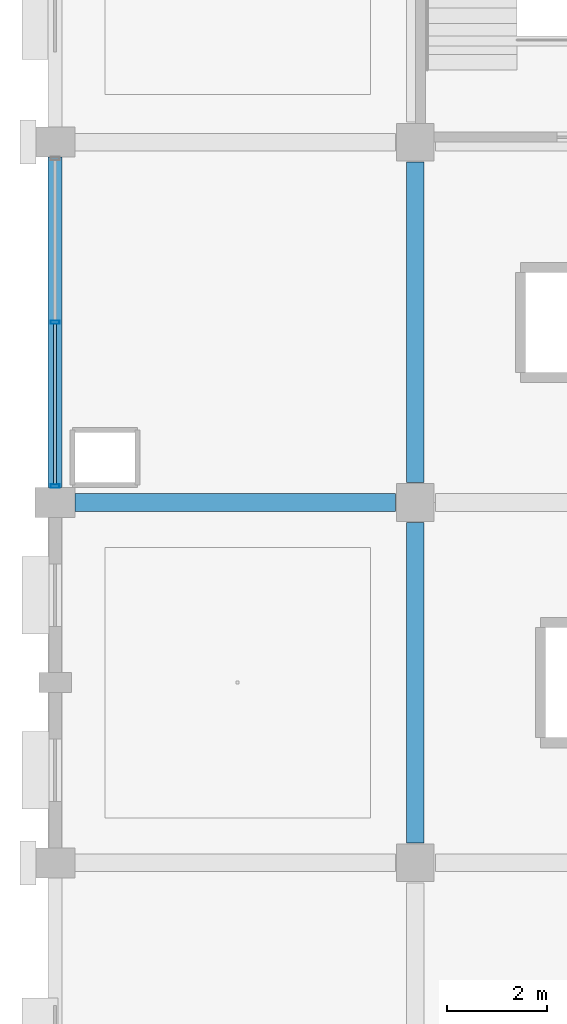
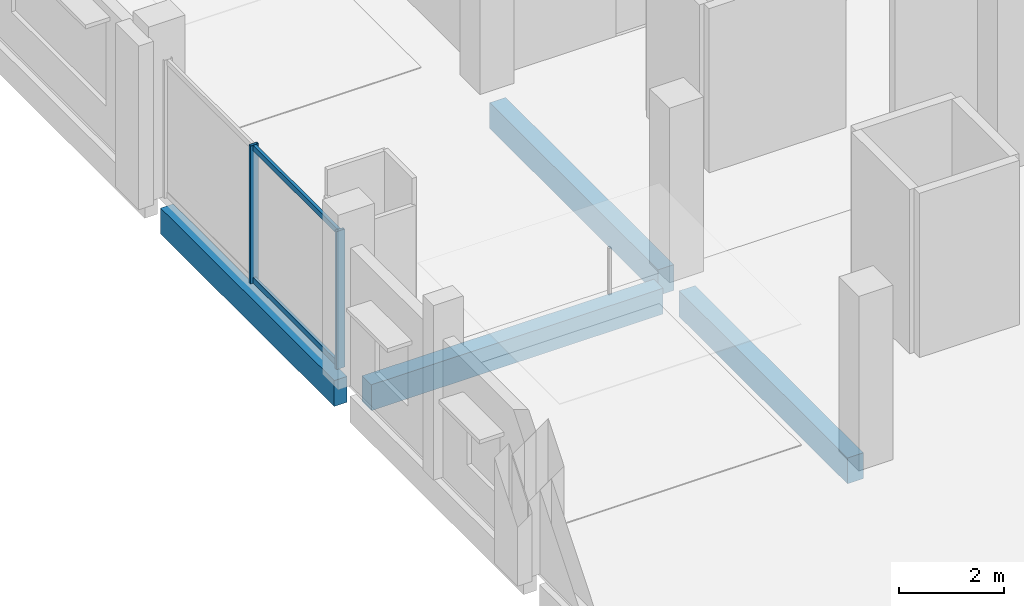
# One storey, part 8 of 91: 4 beams, 4 members, 1 element without a shape of its own.
"""IFC4 building model written with IfcOpenShell, lengths in metres."""

from ifc_helpers import new_model, si_unit, direction, frame, origin, origin_2d, place, context, subcontext, project, spatial, rectangle, hollow_rectangle, extrude, material, layer, layer_set, material_profile, profile_set, type_object, element, aggregate, save


model = new_model("IFC4")

# Units and contexts
model_context = context("Model", 3, precision=1e-05, world=origin(), true_north=direction((0.0, 1.0)))
body_context = subcontext(model_context, "Body", "Model", "MODEL_VIEW")
ifc_project = project(units=[si_unit("LENGTHUNIT", "METRE"), si_unit("AREAUNIT", "SQUARE_METRE"), si_unit("VOLUMEUNIT", "CUBIC_METRE"), si_unit("PLANEANGLEUNIT", "RADIAN"), si_unit("MASSUNIT", "GRAM", prefix="KILO")], contexts=[model_context])

# Site, building, storey
site_placement = place(None, origin())
site = spatial("IfcSite", under=ifc_project, at=site_placement, CompositionType="ELEMENT")
building_placement = place(site_placement, origin())
building = spatial("IfcBuilding", under=site, at=building_placement, Name="Kangsadwip Square Police Headquarters", CompositionType="ELEMENT")
storey_placement = place(building_placement, frame((0.0, 0.0, 13.5)))
storey = spatial("IfcBuildingStorey", under=building, at=storey_placement, Name="L03", CompositionType="ELEMENT", Elevation=13.5)

# Curtain wall, members
ifc_material_1 = material(Name="Thermally broken anodised aluminium AW-6063-T6", Category="aluminium")
ifc_layer = layer(ifc_material_1, 0.159912109375)
ifc_layer_set = layer_set([ifc_layer], Name="Thermally broken anodised aluminium AW-6063-T6")
curtain_wall_type = type_object("IfcCurtainWallType", Name="UnitisedCw6610x3200", PredefinedType="NOTDEFINED", material=ifc_layer_set)
curtain_wall_placement = place(storey_placement, origin())
curtain_wall = element("IfcCurtainWall", 1, at=curtain_wall_placement, inside=storey, type_object=curtain_wall_type, Name="Curtain Wall CW-L03-0000-0651", PredefinedType="NOTDEFINED")
ifc_material_2 = material(Name="Thermally broken anodised aluminium AW-6063-T6", Category="aluminium")
ifc_material_profile_1 = material_profile(ifc_material_2, hollow_rectangle(XDim=0.06494140625, YDim=0.179931640625, WallThickness=0.00390625, at=origin_2d()), Name="CWM 180X65X4")
ifc_profile_set_1 = profile_set([ifc_material_profile_1], Name="Thermally broken anodised aluminium AW-6063-T6")
member_type_1 = type_object("IfcMemberType", Name="CwMullion160x65", PredefinedType="MULLION", material=ifc_profile_set_1)
member_1_placement = place(storey_placement, frame((0.0, 65.12744140625, 0.0), z_axis=(0.0, 0.0, 1.0), x_axis=(0.0, 1.0, 0.0)))
member_1 = element("IfcMember", 2, at=member_1_placement, type_object=member_type_1, Name="CW-28 mullion 1", PredefinedType="MULLION", context=body_context, shape_type="SweptSolid", body=[
    extrude(hollow_rectangle(XDim=0.06494140625, YDim=0.179931640625, WallThickness=0.00390625, at=origin_2d()), origin(), (0.0, 0.0, 1.0), 3.199951171875),
])
member_2_placement = place(storey_placement, frame((0.0, 68.39990234375, 0.0), z_axis=(0.0, 0.0, 1.0), x_axis=(0.0, 1.0, 0.0)))
member_2 = element("IfcMember", 3, at=member_2_placement, type_object=member_type_1, Name="CW-28 mullion 2", PredefinedType="MULLION", context=body_context, shape_type="SweptSolid", body=[
    extrude(hollow_rectangle(XDim=0.06494140625, YDim=0.179931640625, WallThickness=0.00390625, at=origin_2d()), origin(), (0.0, 0.0, 1.0), 3.199951171875),
])
ifc_material_3 = material(Name="Thermally broken anodised aluminium AW-6063-T6", Category="aluminium")
ifc_material_profile_2 = material_profile(ifc_material_3, hollow_rectangle(XDim=0.06494140625, YDim=0.1298828125, WallThickness=0.00390625, at=origin_2d()), Name="CWT 130X65X4")
ifc_profile_set_2 = profile_set([ifc_material_profile_2], Name="Thermally broken anodised aluminium AW-6063-T6")
member_type_2 = type_object("IfcMemberType", Name="CwTransom140x60", PredefinedType="USERDEFINED", material=ifc_profile_set_2)
member_3_placement = place(storey_placement, frame((0.0, 65.159912109375, 0.06494140625), z_axis=(0.0, 1.0, 0.0), x_axis=(-1.0, 0.0, 0.0)))
member_3 = element("IfcMember", 4, at=member_3_placement, type_object=member_type_2, Name="CW-28 transom 1.1", ObjectType="TRANSOM", PredefinedType="USERDEFINED", context=body_context, shape_type="SweptSolid", body=[
    extrude(hollow_rectangle(XDim=0.06494140625, YDim=0.1298828125, WallThickness=0.00390625, at=origin_2d()), origin(), (0.0, 0.0, 1.0), 3.20751953125),
])
member_4_placement = place(storey_placement, frame((0.0, 65.159912109375, 3.135009765625), z_axis=(0.0, 1.0, 0.0), x_axis=(-1.0, 0.0, 0.0)))
member_4 = element("IfcMember", 5, at=member_4_placement, type_object=member_type_2, Name="CW-28 transom 1.2", ObjectType="TRANSOM", PredefinedType="USERDEFINED", context=body_context, shape_type="SweptSolid", body=[
    extrude(hollow_rectangle(XDim=0.06494140625, YDim=0.1298828125, WallThickness=0.00390625, at=origin_2d()), origin(), (0.0, 0.0, 1.0), 3.20751953125),
])
aggregate(curtain_wall, [member_1, member_2, member_3, member_4])

# Beams
ifc_material_4 = material(Name="Concrete M35 (35 MPa)", Category="concrete")
ifc_material_profile_3 = material_profile(ifc_material_4, rectangle(XDim=0.35009765625, YDim=0.60009765625, at=origin_2d()), Name="RC BM 600X350")
ifc_profile_set_3 = profile_set([ifc_material_profile_3], Name="Concrete M35 (35 MPa)")
beam_type_1 = type_object("IfcBeamType", Name="RcBeam600x350", PredefinedType="BEAM", material=ifc_profile_set_3)
beam_1_placement = place(storey_placement, frame((0.39990234375, 64.800048828125, -0.5400390625), z_axis=(1.0, 0.0, 0.0), x_axis=(0.0, 1.0, 0.0)))
element("IfcBeam", 6, at=beam_1_placement, inside=storey, type_object=beam_type_1, Name="Beam BM-L03-X-00-09", PredefinedType="BEAM", context=body_context, shape_type="SweptSolid", body=[
    extrude(rectangle(XDim=0.35009765625, YDim=0.60009765625, at=origin_2d()), origin(), (0.0, 0.0, 1.0), 6.400146484375),
])
beam_2_placement = place(storey_placement, frame((7.199951171875, 58.0, -0.5400390625), z_axis=(0.0, 1.0, 0.0), x_axis=(-1.0, 0.0, 0.0)))
element("IfcBeam", 7, at=beam_2_placement, inside=storey, type_object=beam_type_1, Name="Beam BM-L03-Y-01-08", PredefinedType="BEAM", context=body_context, shape_type="SweptSolid", body=[
    extrude(rectangle(XDim=0.35009765625, YDim=0.60009765625, at=origin_2d()), origin(), (0.0, 0.0, 1.0), 6.39990234375),
])
beam_3_placement = place(storey_placement, frame((7.199951171875, 65.199951171875, -0.5400390625), z_axis=(0.0, 1.0, 0.0), x_axis=(-1.0, 0.0, 0.0)))
element("IfcBeam", 8, at=beam_3_placement, inside=storey, type_object=beam_type_1, Name="Beam BM-L03-Y-01-09", PredefinedType="BEAM", context=body_context, shape_type="SweptSolid", body=[
    extrude(rectangle(XDim=0.35009765625, YDim=0.60009765625, at=origin_2d()), origin(), (0.0, 0.0, 1.0), 6.400146484375),
])
ifc_material_5 = material(Name="Concrete M40 (40 MPa)", Category="concrete")
ifc_material_profile_4 = material_profile(ifc_material_5, rectangle(XDim=0.280029296875, YDim=0.60009765625, at=origin_2d()), Name="RC SPN 600X280")
ifc_profile_set_4 = profile_set([ifc_material_profile_4], Name="Concrete M40 (40 MPa)")
beam_type_2 = type_object("IfcBeamType", Name="RcSpandrel600x280", PredefinedType="SPANDREL", material=ifc_profile_set_4)
beam_4_placement = place(storey_placement, frame((0.0, 65.10009765625, -0.5400390625), z_axis=(0.0, 1.0, 0.0), x_axis=(-1.0, 0.0, 0.0)))
element("IfcBeam", 9, at=beam_4_placement, inside=storey, type_object=beam_type_2, Name="Beam BM-L03-Y-00-09", PredefinedType="SPANDREL", context=body_context, shape_type="SweptSolid", body=[
    extrude(rectangle(XDim=0.280029296875, YDim=0.60009765625, at=origin_2d()), origin(), (0.0, 0.0, 1.0), 6.599853515625),
])

save(model, "model.ifc")
